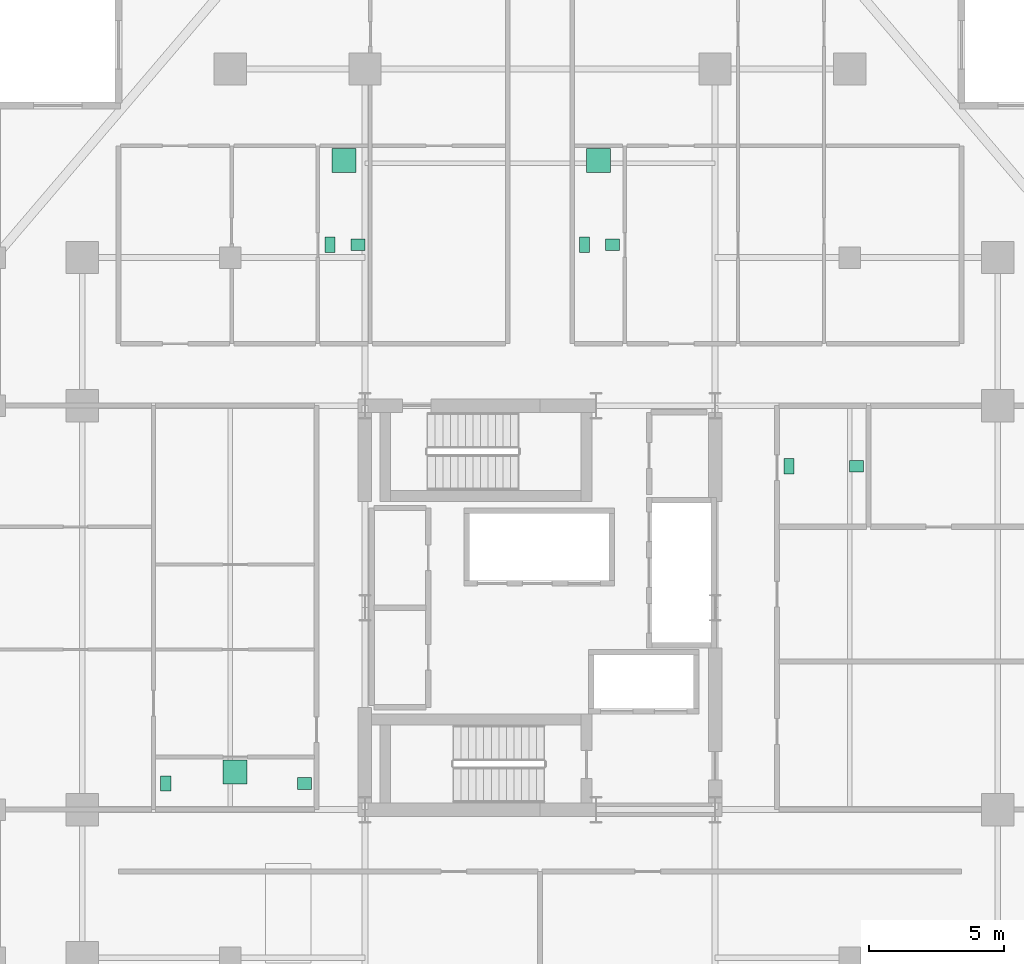
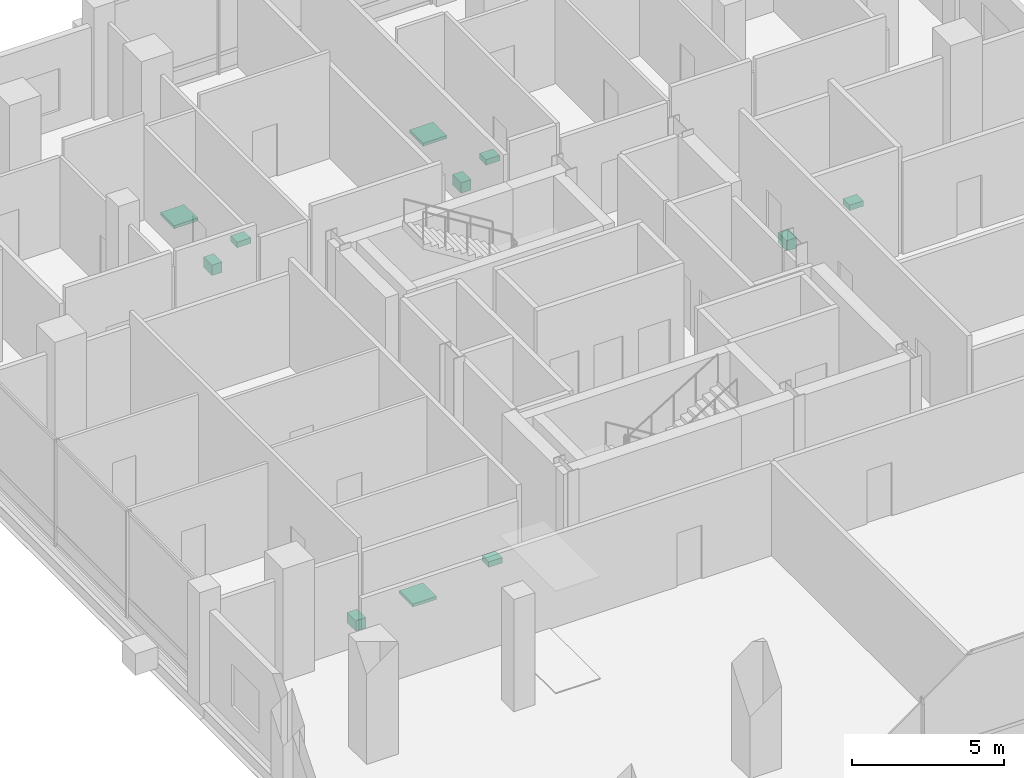
# One storey, part 19 of 19: 11 sanitary terminals.
"""IFC4 building model written with IfcOpenShell, lengths in metres."""

from ifc_helpers import new_model, si_unit, direction, frame, origin, origin_2d, place, context, subcontext, project, spatial, rectangle, extrude, material, type_object, element, save


model = new_model("IFC4")

# Units and contexts
model_context = context("Model", 3, precision=1e-05, world=origin(), true_north=direction((0.0, 1.0)))
body_context = subcontext(model_context, "Body", "Model", "MODEL_VIEW")
ifc_project = project(units=[si_unit("LENGTHUNIT", "METRE"), si_unit("AREAUNIT", "SQUARE_METRE"), si_unit("VOLUMEUNIT", "CUBIC_METRE"), si_unit("PLANEANGLEUNIT", "RADIAN"), si_unit("MASSUNIT", "GRAM", prefix="KILO")], contexts=[model_context])

# Site, building, storey
site_placement = place(None, origin())
site = spatial("IfcSite", under=ifc_project, at=site_placement, CompositionType="ELEMENT")
building_placement = place(site_placement, origin())
building = spatial("IfcBuilding", under=site, at=building_placement, Name="Barlavira Tower and Art Museum", CompositionType="ELEMENT")
storey_placement = place(building_placement, frame((0.0, 0.0, 125.10009765625)))
storey = spatial("IfcBuildingStorey", under=building, at=storey_placement, Name="L31", CompositionType="ELEMENT", Elevation=125.10009765625)

# Sanitary terminals
ifc_material = material(Name="Vitreous glazed ceramic", Category="ceramic")
sanitary_terminal_type_1 = type_object("IfcSanitaryTerminalType", Name="Countertop Ceramic Wash Hand Basin", PredefinedType="WASHHANDBASIN", material=ifc_material)
for number, where, z_axis, x_axis, name in (
    (1, (11.75, 5.25, 0.73974609375), (0.0, 0.0, 1.0), (1.0, 0.0, 0.0), "L31-SKY-AWC Wash Basin"),
    (2, (-6.75, 13.47509765625, 0.73974609375), (0.0, 0.0, 1.0), (1.0, 0.0, 0.0), "L31-SKY-NW-BTH1 Wash Basin"),
    (3, (2.699951171875, 13.47509765625, 0.73974609375), (0.0, 0.0, 1.0), (1.0, 0.0, 0.0), "L31-SKY-NE-BTH1 Wash Basin"),
    (4, (-8.75, -6.52490234375, 0.73974609375), (0.0, 0.0, 1.0), (1.0, 0.0, 0.0), "L31-SKY-W1-BTH1 Wash Basin"),
):
    element("IfcSanitaryTerminal", number, at=place(storey_placement, frame(where, z_axis=z_axis, x_axis=x_axis)), inside=storey, type_object=sanitary_terminal_type_1, Name=name, PredefinedType="WASHHANDBASIN", context=body_context, shape_type="SweptSolid", body=[
        extrude(rectangle(XDim=0.52001953125, YDim=0.43994140625, at=origin_2d()), origin(), (0.0, 0.0, 1.0), 0.219970703125),
    ])
sanitary_terminal_type_2 = type_object("IfcSanitaryTerminalType", Name="Walk-In Thermostatic Rain Shower Unit", PredefinedType="SHOWER", material=ifc_material)
for number, where, z_axis, x_axis, name in (
    (5, (-7.27490234375, 16.60009765625, -0.000244140625), (0.0, 0.0, 1.0), (1.0, 0.0, 0.0), "L31-SKY-NW-BTH1 Rain Shower"),
    (6, (2.175048828125, 16.60009765625, -0.000244140625), (0.0, 0.0, 1.0), (1.0, 0.0, 0.0), "L31-SKY-NE-BTH1 Rain Shower"),
    (7, (-11.324951171875, -6.10009765625, -0.000244140625), (0.0, 0.0, 1.0), (1.0, 0.0, 0.0), "L31-SKY-W1-BTH1 Rain Shower"),
):
    element("IfcSanitaryTerminal", number, at=place(storey_placement, frame(where, z_axis=z_axis, x_axis=x_axis)), inside=storey, type_object=sanitary_terminal_type_2, Name=name, PredefinedType="SHOWER", context=body_context, shape_type="SweptSolid", body=[
        extrude(rectangle(XDim=0.89990234375, YDim=0.89990234375, at=origin_2d()), origin(), (0.0, 0.0, 1.0), 0.1201171875),
    ])
sanitary_terminal_type_3 = type_object("IfcSanitaryTerminalType", Name="Wall-Hung Dual-Flush Vitreous WC Pan", PredefinedType="TOILETPAN", material=ifc_material)
for number, where, z_axis, x_axis, name in (
    (8, (9.25, 5.25, 0.0), (0.0, 0.0, 1.0), (1.0, 0.0, 0.0), "L31-SKY-AWC WC Pan"),
    (9, (-7.800048828125, 13.47509765625, 0.0), (0.0, 0.0, 1.0), (1.0, 0.0, 0.0), "L31-SKY-NW-BTH1 WC Pan"),
    (10, (1.64990234375, 13.47509765625, 0.0), (0.0, 0.0, 1.0), (1.0, 0.0, 0.0), "L31-SKY-NE-BTH1 WC Pan"),
    (11, (-13.89990234375, -6.52490234375, 0.0), (0.0, 0.0, 1.0), (1.0, 0.0, 0.0), "L31-SKY-W1-BTH1 WC Pan"),
):
    element("IfcSanitaryTerminal", number, at=place(storey_placement, frame(where, z_axis=z_axis, x_axis=x_axis)), inside=storey, type_object=sanitary_terminal_type_3, Name=name, PredefinedType="TOILETPAN", context=body_context, shape_type="SweptSolid", body=[
        extrude(rectangle(XDim=0.3798828125, YDim=0.56005859375, at=origin_2d()), origin(), (0.0, 0.0, 1.0), 0.419921875),
    ])

save(model, "model.ifc")
